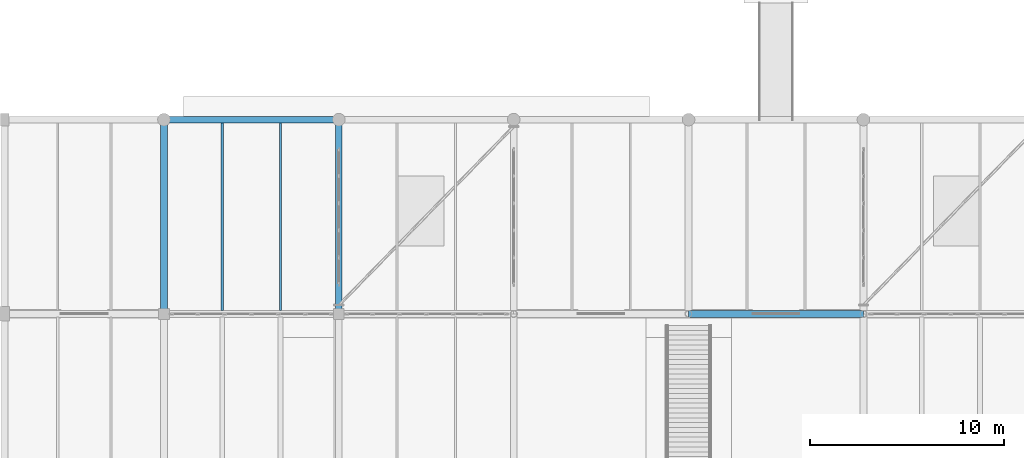
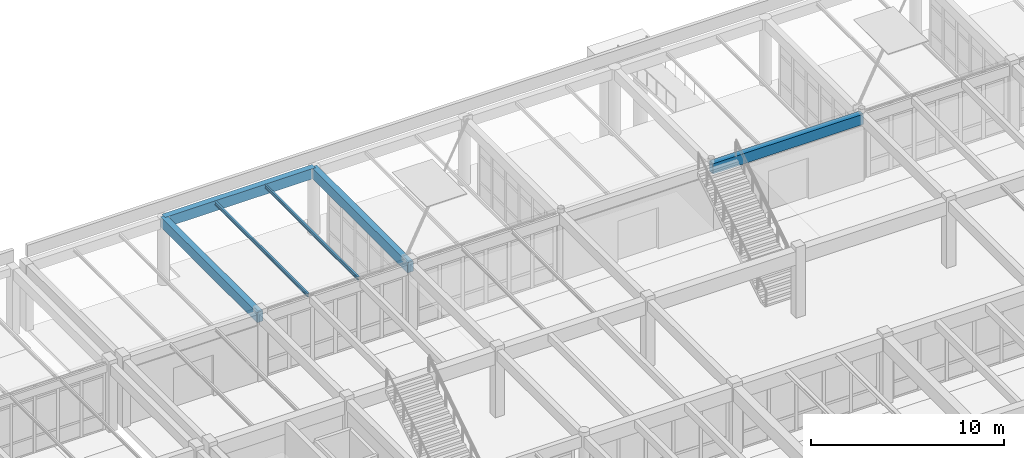
# One storey, part 96 of 186: 6 beams.
"""IFC4 building model written with IfcOpenShell, lengths in metres."""

from ifc_helpers import new_model, si_unit, direction, frame, origin, origin_2d, place, context, subcontext, project, spatial, rectangle, i_section, extrude, material, material_profile, profile_set, type_object, element, save


model = new_model("IFC4")

# Units and contexts
model_context = context("Model", 3, precision=1e-05, world=origin(), true_north=direction((0.0, 1.0)))
body_context = subcontext(model_context, "Body", "Model", "MODEL_VIEW")
ifc_project = project(units=[si_unit("LENGTHUNIT", "METRE"), si_unit("AREAUNIT", "SQUARE_METRE"), si_unit("VOLUMEUNIT", "CUBIC_METRE"), si_unit("PLANEANGLEUNIT", "RADIAN"), si_unit("MASSUNIT", "GRAM", prefix="KILO")], contexts=[model_context])

# Site, building, storey
site_placement = place(None, origin())
site = spatial("IfcSite", under=ifc_project, at=site_placement, CompositionType="ELEMENT")
building_placement = place(site_placement, origin())
building = spatial("IfcBuilding", under=site, at=building_placement, Name="Ornek Quay Market", CompositionType="ELEMENT")
storey_placement = place(building_placement, origin())
storey = spatial("IfcBuildingStorey", under=building, at=storey_placement, Name="L00", CompositionType="ELEMENT", Elevation=0.0)

# Beams
ifc_material_1 = material(Name="Concrete C35/45", Category="concrete")
ifc_material_profile_1 = material_profile(ifc_material_1, rectangle(XDim=0.35009765625, YDim=0.64990234375, at=origin_2d()), Name="RC 350x650", Category="concrete")
ifc_profile_set_1 = profile_set([ifc_material_profile_1], Name="Concrete C35/45")
beam_type_1 = type_object("IfcBeamType", Name="BM-CONC-350x650", PredefinedType="BEAM", material=ifc_profile_set_1)
for number, where, z_axis, x_axis, name in (
    (1, (90.0, 110.0, 3.864990234375), (1.0, 0.0, 0.0), (0.0, 1.0, 0.0), "Primary beam B-CN1-012"),
    (2, (63.0, 120.0, 3.864990234375), (1.0, 0.0, 0.0), (0.0, 1.0, 0.0), "Primary beam B-CN1-017"),
):
    element("IfcBeam", number, at=place(storey_placement, frame(where, z_axis=z_axis, x_axis=x_axis)), inside=storey, type_object=beam_type_1, Name=name, PredefinedType="BEAM", context=body_context, shape_type="SweptSolid", body=[
        extrude(rectangle(XDim=0.35009765625, YDim=0.64990234375, at=origin_2d()), origin(), (0.0, 0.0, 1.0), 9.0),
    ])
for number, where, z_axis, x_axis, name in (
    (3, (63.0, 110.0, 3.864990234375), (0.0, 1.0, 0.0), (-1.0, 0.0, 0.0), "Primary beam B-CN1-025"),
    (4, (72.0, 110.0, 3.864990234375), (0.0, 1.0, 0.0), (-1.0, 0.0, 0.0), "Primary beam B-CN1-026"),
):
    element("IfcBeam", number, at=place(storey_placement, frame(where, z_axis=z_axis, x_axis=x_axis)), inside=storey, type_object=beam_type_1, Name=name, PredefinedType="BEAM", context=body_context, shape_type="SweptSolid", body=[
        extrude(rectangle(XDim=0.35009765625, YDim=0.64990234375, at=origin_2d()), origin(), (0.0, 0.0, 1.0), 10.0),
    ])
ifc_material_2 = material(Name="Steel S355", Category="steel")
ifc_material_profile_2 = material_profile(ifc_material_2, i_section(OverallWidth=0.110107421875, OverallDepth=0.219970703125, WebThickness=0.005859375, FlangeThickness=0.00927734375, FilletRadius=0.011962890625, at=origin_2d()), Name="IPE 220", Category="steel")
ifc_profile_set_2 = profile_set([ifc_material_profile_2], Name="Steel S355")
beam_type_2 = type_object("IfcBeamType", Name="BM-STL-IPE220", PredefinedType="JOIST", material=ifc_profile_set_2)
for number, where, z_axis, x_axis, name in (
    (5, (66.0, 110.1669921875, 4.080078125), (0.0, 1.0, 0.0), (-1.0, 0.0, 0.0), "Secondary joist SB-03-005"),
    (6, (69.0, 110.1669921875, 4.080078125), (0.0, 1.0, 0.0), (-1.0, 0.0, 0.0), "Secondary joist SB-03-006"),
):
    element("IfcBeam", number, at=place(storey_placement, frame(where, z_axis=z_axis, x_axis=x_axis)), inside=storey, type_object=beam_type_2, Name=name, PredefinedType="JOIST", context=body_context, shape_type="SweptSolid", body=[
        extrude(i_section(OverallWidth=0.110107421875, OverallDepth=0.219970703125, WebThickness=0.005859375, FlangeThickness=0.00927734375, FilletRadius=0.011962890625, at=origin_2d()), origin(), (0.0, 0.0, 1.0), 9.666015625),
    ])

save(model, "model.ifc")
